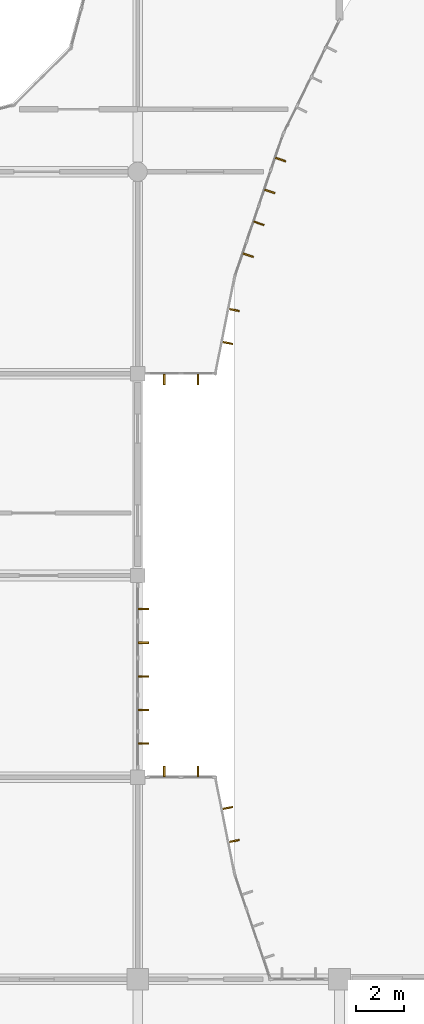
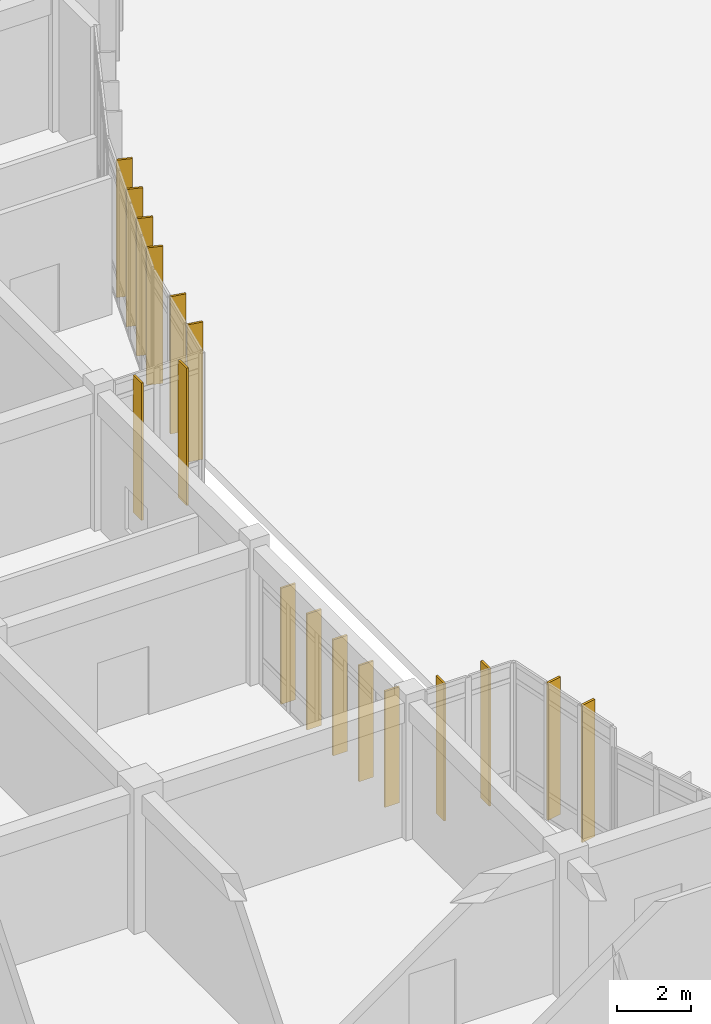
# One storey, part 133 of 138: 17 shading devices.
"""IFC4 building model written with IfcOpenShell, lengths in metres."""

import ifcopenshell
import ifcopenshell.guid

model = None  # the IFC model being written
_history = None  # IfcOwnerHistory: only IFC2X3 demands one
_inside = {}  # id of a spatial element -> (the spatial element, [elements in it])
_under = {}  # id of a project, library or spatial element -> (it, [spatial elements below it])
_declared = {}  # id of a project -> (the project, [libraries it declares])
_typed = {}  # id of a type object -> (the type object, [elements of that type])
_made_of = {}  # id of a material, layer set ... -> (it, [elements and type objects made of it])


def new_model(schema):
    """Start an empty IFC model of exactly this schema.

    Asked for "IFC4X3", IfcOpenShell would pick the latest addendum, in which some entities
    have other attributes; the version numbers below select the first issue.
    IFC2X3 requires an IfcOwnerHistory on every rooted entity: one is made here for all.
    """
    global model, _history
    if schema == "IFC4X3":
        model = ifcopenshell.file(schema_version=(4, 3, 0, 0))
    else:
        model = ifcopenshell.file(schema=schema)
    _inside.clear()
    _under.clear()
    _declared.clear()
    _typed.clear()
    _made_of.clear()
    _history = None
    if model.schema == "IFC2X3":
        org = make("IfcOrganization", Name="unknown")
        user = make(
            "IfcPersonAndOrganization",
            ThePerson=make("IfcPerson", FamilyName="unknown"),
            TheOrganization=org,
        )
        app = make(
            "IfcApplication",
            ApplicationDeveloper=org,
            Version="unknown",
            ApplicationFullName="unknown",
            ApplicationIdentifier="unknown",
        )
        _history = make(
            "IfcOwnerHistory",
            OwningUser=user,
            OwningApplication=app,
            ChangeAction="ADDED",
            CreationDate=0,
        )
    return model


def make(cls, **values):
    """One entity of the class cls with the attributes given. An attribute that is None is left unset."""
    return model.create_entity(
        cls, **{name: value for name, value in values.items() if value is not None}
    )


def rooted(cls, **values):
    """An entity with a GlobalId (a new one), such as an element, a storey or a relation."""
    return make(cls, GlobalId=ifcopenshell.guid.new(), OwnerHistory=_history, **values)


def si_unit(unit_type, name, prefix=None):
    """IfcSIUnit, for example si_unit("LENGTHUNIT", "METRE", prefix="MILLI")."""
    return make("IfcSIUnit", UnitType=unit_type, Prefix=prefix, Name=name)


def assignment(units):
    """IfcUnitAssignment: the units of a project."""
    return None if units is None else make("IfcUnitAssignment", Units=units)


def point(xyz):
    """IfcCartesianPoint."""
    return None if xyz is None else make("IfcCartesianPoint", Coordinates=xyz)


def direction(xyz):
    """IfcDirection."""
    return None if xyz is None else make("IfcDirection", DirectionRatios=xyz)


def frame(location, z_axis=None, x_axis=None):
    """IfcAxis2Placement3D, a coordinate frame: its origin and axes. An axis left out is left unset."""
    return make(
        "IfcAxis2Placement3D",
        Location=point(location),
        Axis=direction(z_axis),
        RefDirection=direction(x_axis),
    )


def frame_2d(location, x_axis=None):
    """IfcAxis2Placement2D, a coordinate frame in the plane: its origin and x axis."""
    return make(
        "IfcAxis2Placement2D", Location=point(location), RefDirection=direction(x_axis)
    )


def origin():
    """The frame at (0, 0, 0) with its axes left unset."""
    return frame((0.0, 0.0, 0.0))


def origin_2d():
    """The frame at (0, 0) in the plane with its x axis left unset."""
    return frame_2d((0.0, 0.0))


def place(relative_to, where):
    """IfcLocalPlacement: puts the frame where relative to a parent placement (None: the world)."""
    return make(
        "IfcLocalPlacement", PlacementRelTo=relative_to, RelativePlacement=where
    )


def context(
    kind, dimensions, precision=None, world=None, true_north=None, identifier=None
):
    """IfcGeometricRepresentationContext, for example the 3D "Model" context."""
    return make(
        "IfcGeometricRepresentationContext",
        ContextIdentifier=identifier,
        ContextType=kind,
        CoordinateSpaceDimension=dimensions,
        Precision=precision,
        WorldCoordinateSystem=world,
        TrueNorth=true_north,
    )


def subcontext(parent, identifier, kind, view, scale=None):
    """IfcGeometricRepresentationSubContext, for example "Body" below "Model"."""
    return make(
        "IfcGeometricRepresentationSubContext",
        ContextIdentifier=identifier,
        ContextType=kind,
        ParentContext=parent,
        TargetScale=scale,
        TargetView=view,
    )


def project(units=None, contexts=None):
    """IfcProject with its units and contexts."""
    return rooted(
        "IfcProject",
        Name="project",
        RepresentationContexts=contexts,
        UnitsInContext=assignment(units),
    )


def spatial(cls, under=None, at=None, **own):
    """A site, building, storey or space (cls), placed at a placement, below another one or the project."""
    s = rooted(cls, ObjectPlacement=at, **own)
    if under is not None:
        _under.setdefault(under.id(), (under, []))[1].append(s)
    return s


def profile(cls, at=None, kind="AREA", **sizes):
    """A parametric profile (cls). Its sizes go by their IFC names, for example OverallWidth=200.0."""
    return make(cls, ProfileType=kind, Position=at, **sizes)


def rectangle(**sizes):
    """IfcRectangleProfileDef."""
    return profile("IfcRectangleProfileDef", **sizes)


def extrude(swept, where, along, depth):
    """IfcExtrudedAreaSolid: the profile swept, set in the frame where, extruded along a direction by depth."""
    return make(
        "IfcExtrudedAreaSolid",
        SweptArea=swept,
        Position=where,
        ExtrudedDirection=direction(along),
        Depth=depth,
    )


def shape(context_of_items, identifier, shape_type, items):
    """IfcShapeRepresentation: the items that make up one representation, for example the "Body"."""
    return make(
        "IfcShapeRepresentation",
        ContextOfItems=context_of_items,
        RepresentationIdentifier=identifier,
        RepresentationType=shape_type,
        Items=items,
    )


def material(Name=None, Category=None):
    """IfcMaterial."""
    return make("IfcMaterial", Name=Name, Category=Category)


def material_profile(
    of_material, cross_section, Name=None, Category=None, Priority=None
):
    """IfcMaterialProfile: a cross section and its material."""
    return make(
        "IfcMaterialProfile",
        Name=Name,
        Material=of_material,
        Profile=cross_section,
        Priority=Priority,
        Category=Category,
    )


def profile_set(profiles, Name=None, composite=None):
    """IfcMaterialProfileSet."""
    return make(
        "IfcMaterialProfileSet",
        Name=Name,
        MaterialProfiles=profiles,
        CompositeProfile=composite,
    )


def made_of(thing, what):
    """Note that an element or type object is made of a material, layer set ...; save() writes the relation."""
    if what is not None:
        _made_of.setdefault(what.id(), (what, []))[1].append(thing)
    return thing


def type_object(cls, material=None, **own):
    """A type object (cls), such as IfcWallType, which elements share."""
    return made_of(rooted(cls, **own), material)


def element(
    cls,
    number,
    at=None,
    inside=None,
    cuts=None,
    type_object=None,
    material=None,
    context=None,
    identifier="Body",
    shape_type=None,
    held_by="IfcProductDefinitionShape",
    body=None,
    shapes=None,
    **own,
):
    """One element of the class cls, such as IfcWall. Its Tag is "e" and its number.

    at: its placement. inside: the storey or other place that contains it. cuts: it is an
    opening in that element (IfcRelVoidsElement). A single representation is given by context,
    identifier, shape_type and body (its items); several are given by shapes. held_by: the class
    of the entity that holds the representations. save() writes the other relations.
    """
    e = rooted(cls, Tag="e%d" % number, ObjectPlacement=at, **own)
    if body is not None:
        shapes = [shape(context, identifier, shape_type, body)]
    if shapes is not None:
        e.Representation = make(held_by, Representations=shapes)
    if inside is not None:
        _inside.setdefault(inside.id(), (inside, []))[1].append(e)
    if cuts is not None:
        rooted(
            "IfcRelVoidsElement", RelatingBuildingElement=cuts, RelatedOpeningElement=e
        )
    if type_object is not None:
        _typed.setdefault(type_object.id(), (type_object, []))[1].append(e)
    return made_of(e, material)


def aggregate(whole, parts):
    """IfcRelAggregates: a whole, such as a stair, and the parts it consists of."""
    return rooted("IfcRelAggregates", RelatingObject=whole, RelatedObjects=parts)


def save(model, path):
    """Write the relations noted so far, then the file.

    IfcRelAggregates (storeys below a building ...), IfcRelContainedInSpatialStructure (elements
    in a storey), IfcRelDefinesByType, IfcRelAssociatesMaterial and IfcRelDeclares: one each for
    every whole, place, type object, material and project.
    """
    for whole, parts in _under.values():
        aggregate(whole, parts)
    for where, things in _inside.values():
        rooted(
            "IfcRelContainedInSpatialStructure",
            RelatedElements=things,
            RelatingStructure=where,
        )
    for kind, things in _typed.values():
        rooted("IfcRelDefinesByType", RelatedObjects=things, RelatingType=kind)
    for what, things in _made_of.values():
        rooted("IfcRelAssociatesMaterial", RelatedObjects=things, RelatingMaterial=what)
    for by, libraries in _declared.values():
        rooted("IfcRelDeclares", RelatingContext=by, RelatedDefinitions=libraries)
    model.write(path)


model = new_model("IFC4")

# Units and contexts
model_context = context("Model", 3, precision=1e-05, world=origin(), true_north=direction((0.0, 1.0)))
body_context = subcontext(model_context, "Body", "Model", "MODEL_VIEW")
ifc_project = project(units=[si_unit("LENGTHUNIT", "METRE"), si_unit("AREAUNIT", "SQUARE_METRE"), si_unit("VOLUMEUNIT", "CUBIC_METRE"), si_unit("PLANEANGLEUNIT", "RADIAN"), si_unit("MASSUNIT", "GRAM", prefix="KILO")], contexts=[model_context])

# Site, building, storey
site_placement = place(None, origin())
site = spatial("IfcSite", under=ifc_project, at=site_placement, CompositionType="ELEMENT")
building_placement = place(site_placement, origin())
building = spatial("IfcBuilding", under=site, at=building_placement, Name="Bramfleet General Hospital", CompositionType="ELEMENT")
storey_placement = place(building_placement, origin())
storey = spatial("IfcBuildingStorey", under=building, at=storey_placement, Name="L00", CompositionType="ELEMENT", Elevation=0.0)

# Shading devices
ifc_material = material(Name="Treated European larch timber", Category="wood")
ifc_material_profile = material_profile(ifc_material, rectangle(XDim=0.06494140625, YDim=0.449951171875, at=origin_2d()), Name="LARCH FIN 450x65")
ifc_profile_set = profile_set([ifc_material_profile], Name="Treated European larch timber")
shading_device_type = type_object("IfcShadingDeviceType", Name="SHD-FIN-450", PredefinedType="USERDEFINED", material=ifc_profile_set)
for number, where, z_axis, x_axis, name in (
    (1, (131.947265625, 59.3076171875, -0.02001953125), (0.0, 0.0, 1.0), (-0.321383054181, -0.946949276617, 0.0), "L00 Larch Timber Shading Fin 74"),
    (2, (131.497314453125, 57.981689453125, -0.02001953125), (0.0, 0.0, 1.0), (-0.321383054181, -0.946949276617, 0.0), "L00 Larch Timber Shading Fin 75"),
    (3, (131.04736328125, 56.656005859375, -0.02001953125), (0.0, 0.0, 1.0), (-0.321383054181, -0.946949276617, 0.0), "L00 Larch Timber Shading Fin 76"),
    (4, (130.597412109375, 55.330322265625, -0.02001953125), (0.0, 0.0, 1.0), (-0.321383054181, -0.946949276617, 0.0), "L00 Larch Timber Shading Fin 77"),
    (5, (130.007568359375, 53.05126953125, -0.02001953125), (0.0, 0.0, 1.0), (-0.195272189606, -0.980749087161, 0.0), "L00 Larch Timber Shading Fin 78"),
    (6, (129.734130859375, 51.677978515625, -0.02001953125), (0.0, 0.0, 1.0), (-0.195272189606, -0.980749087161, 0.0), "L00 Larch Timber Shading Fin 79"),
    (7, (128.5048828125, 50.159912109375, -0.02001953125), (0.0, 0.0, 1.0), (-1.0, 0.0, 0.0), "L00 Larch Timber Shading Fin 80"),
    (8, (127.10498046875, 50.159912109375, -0.02001953125), (0.0, 0.0, 1.0), (-1.0, 0.0, 0.0), "L00 Larch Timber Shading Fin 81"),
):
    element("IfcShadingDevice", number, at=place(storey_placement, frame(where, z_axis=z_axis, x_axis=x_axis)), inside=storey, type_object=shading_device_type, Name=name, ObjectType="Fin", PredefinedType="USERDEFINED", context=body_context, shape_type="SweptSolid", body=[
        extrude(rectangle(XDim=0.06494140625, YDim=0.449951171875, at=origin_2d()), origin(), (0.0, 0.0, 1.0), 4.52001953125),
    ])
for number, where, z_axis, x_axis, name in (
    (9, (126.239990234375, 40.60009765625, -0.02001953125), (0.0, 0.0, 1.0), (0.0, -1.0, 0.0), "L00 Larch Timber Shading Fin 82"),
    (10, (126.239990234375, 39.199951171875, -0.02001953125), (0.0, 0.0, 1.0), (0.0, -1.0, 0.0), "L00 Larch Timber Shading Fin 83"),
    (11, (126.239990234375, 37.800048828125, -0.02001953125), (0.0, 0.0, 1.0), (0.0, -1.0, 0.0), "L00 Larch Timber Shading Fin 84"),
    (12, (126.239990234375, 36.39990234375, -0.02001953125), (0.0, 0.0, 1.0), (0.0, -1.0, 0.0), "L00 Larch Timber Shading Fin 85"),
    (13, (126.239990234375, 35.0, -0.02001953125), (0.0, 0.0, 1.0), (0.0, -1.0, 0.0), "L00 Larch Timber Shading Fin 86"),
):
    element("IfcShadingDevice", number, at=place(storey_placement, frame(where, z_axis=z_axis, x_axis=x_axis)), inside=storey, type_object=shading_device_type, Name=name, ObjectType="Fin", PredefinedType="USERDEFINED", context=body_context, shape_type="SweptSolid", body=[
        extrude(rectangle(XDim=0.06494140625, YDim=0.449951171875, at=origin_2d()), origin(), (0.0, 0.0, 1.0), 3.820068359375),
    ])
for number, where, z_axis, x_axis, name in (
    (14, (127.10498046875, 33.840087890625, -0.02001953125), (0.0, 0.0, 1.0), (1.0, 0.0, 0.0), "L00 Larch Timber Shading Fin 87"),
    (15, (128.5048828125, 33.840087890625, -0.02001953125), (0.0, 0.0, 1.0), (1.0, 0.0, 0.0), "L00 Larch Timber Shading Fin 88"),
    (16, (129.734130859375, 32.322021484375, -0.02001953125), (0.0, 0.0, 1.0), (0.195272189606, -0.980749087161, 0.0), "L00 Larch Timber Shading Fin 89"),
    (17, (130.007568359375, 30.94873046875, -0.02001953125), (0.0, 0.0, 1.0), (0.195272189606, -0.980749087161, 0.0), "L00 Larch Timber Shading Fin 90"),
):
    element("IfcShadingDevice", number, at=place(storey_placement, frame(where, z_axis=z_axis, x_axis=x_axis)), inside=storey, type_object=shading_device_type, Name=name, ObjectType="Fin", PredefinedType="USERDEFINED", context=body_context, shape_type="SweptSolid", body=[
        extrude(rectangle(XDim=0.06494140625, YDim=0.449951171875, at=origin_2d()), origin(), (0.0, 0.0, 1.0), 4.52001953125),
    ])

save(model, "model.ifc")
